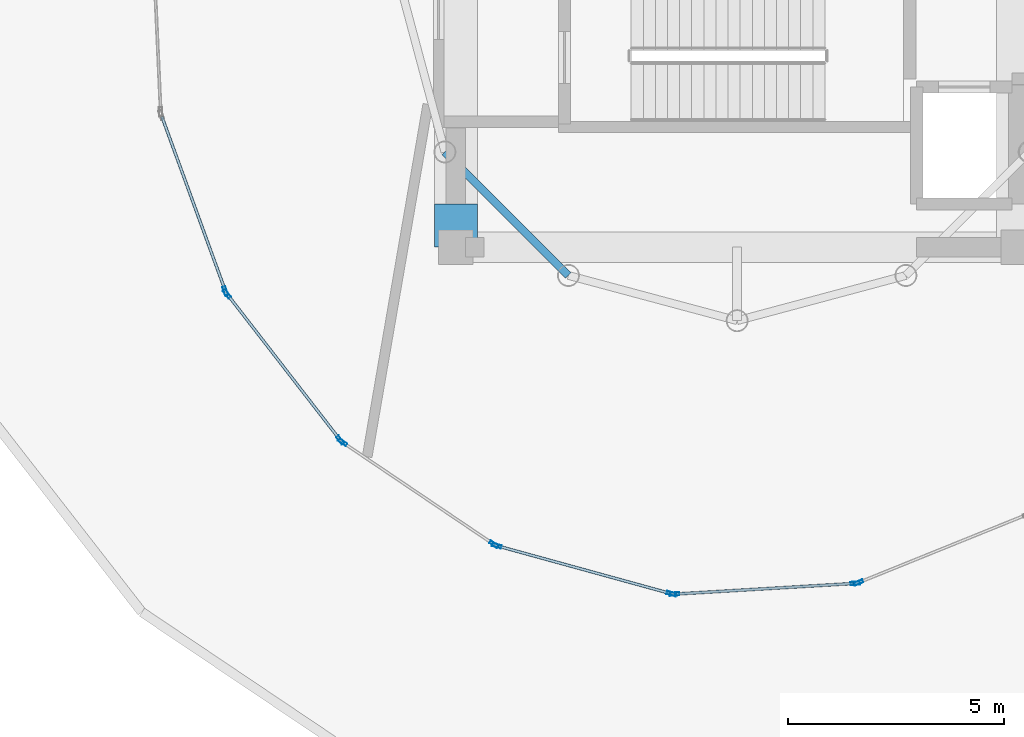
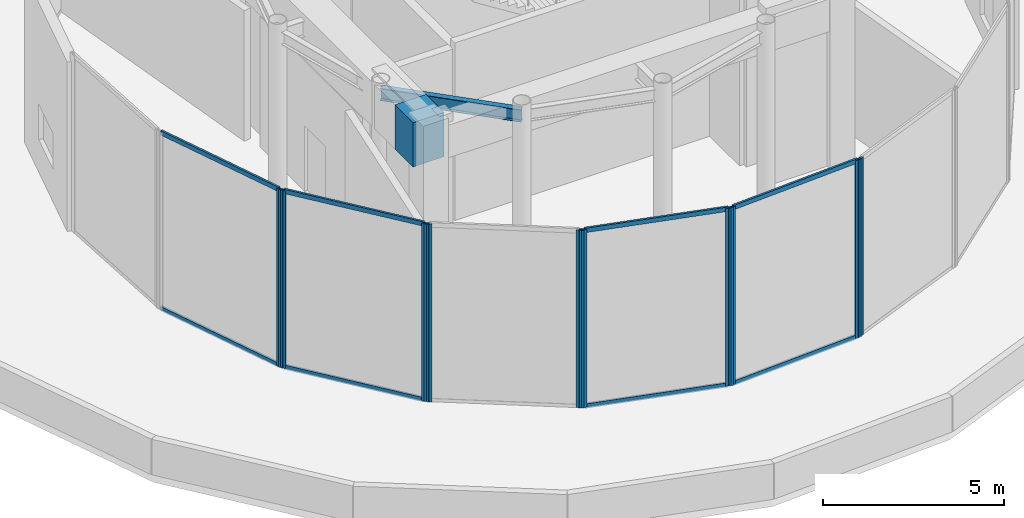
# One storey, part 2 of 12: 18 members, 2 beams, 6 elements without a shape of their own.
"""IFC4 building model written with IfcOpenShell, lengths in metres."""

from ifc_helpers import new_model, si_unit, direction, frame, origin, origin_2d, place, context, subcontext, project, spatial, rectangle, hollow_rectangle, i_section, extrude, source, transform, mapped, material, layer, layer_set, material_profile, profile_set, type_object, element, aggregate, save


model = new_model("IFC4")

# Units and contexts
model_context = context("Model", 3, precision=1e-05, world=origin(), true_north=direction((0.0, 1.0)))
body_context = subcontext(model_context, "Body", "Model", "MODEL_VIEW")
ifc_project = project(units=[si_unit("LENGTHUNIT", "METRE"), si_unit("AREAUNIT", "SQUARE_METRE"), si_unit("VOLUMEUNIT", "CUBIC_METRE"), si_unit("PLANEANGLEUNIT", "RADIAN"), si_unit("MASSUNIT", "GRAM", prefix="KILO")], contexts=[model_context])

# Site, building, storey
site_placement = place(None, origin())
site = spatial("IfcSite", under=ifc_project, at=site_placement, CompositionType="ELEMENT")
building_placement = place(site_placement, origin())
building = spatial("IfcBuilding", under=site, at=building_placement, Name="Solvirekh Grand Hotel", CompositionType="ELEMENT")
storey_placement = place(building_placement, frame((0.0, 0.0, 302.199951171875)))
storey = spatial("IfcBuildingStorey", under=building, at=storey_placement, Name="L78", CompositionType="ELEMENT", Elevation=302.199951171875)

# Beams
ifc_material_1 = material(Name="Steel S355", Category="steel")
ifc_material_profile_1 = material_profile(ifc_material_1, i_section(OverallWidth=0.180908203125, OverallDepth=0.4169921875, WebThickness=0.010009765625, FlangeThickness=0.01611328125, FilletRadius=0.011962890625, at=origin_2d()), Name="W410X85")
ifc_profile_set_1 = profile_set([ifc_material_profile_1], Name="Steel S355")
beam_type_1 = type_object("IfcBeamType", Name="Spandrel_Ring_W410", PredefinedType="SPANDREL", material=ifc_profile_set_1)
beam_1_placement = place(storey_placement, frame((-6.7548828125, -3.89990234375, 5.511962890625), z_axis=(0.707106781187, -0.707106781187, 0.0), x_axis=(0.707106781187, 0.707106781187, 0.0)))
element("IfcBeam", 1, at=beam_1_placement, inside=storey, type_object=beam_type_1, Name="L78 perimeter spandrel beam 8", PredefinedType="SPANDREL", context=body_context, shape_type="SweptSolid", body=[
    extrude(i_section(OverallWidth=0.180908203125, OverallDepth=0.4169921875, WebThickness=0.010009765625, FlangeThickness=0.01611328125, FilletRadius=0.011962890625, at=origin_2d()), origin(), (0.0, 0.0, 1.0), 4.03759765625),
])
ifc_material_2 = material(Name="Concrete C50/60", Category="concrete")
ifc_material_profile_2 = material_profile(ifc_material_2, rectangle(XDim=1.0, YDim=1.5, at=origin_2d()), Name="RC GIRDER 1000X1500")
ifc_profile_set_2 = profile_set([ifc_material_profile_2], Name="Concrete C50/60")
beam_type_2 = type_object("IfcBeamType", Name="TransferGirder_RC1500", PredefinedType="USERDEFINED", material=ifc_profile_set_2)
beam_2_placement = place(storey_placement, frame((-6.5, -6.10009765625, 5.170166015625), z_axis=(0.0, 1.0, 0.0), x_axis=(-1.0, 0.0, 0.0)))
element("IfcBeam", 2, at=beam_2_placement, inside=storey, type_object=beam_type_2, Name="L78 core step transfer beam 4A", ObjectType="TRANSFER GIRDER", PredefinedType="USERDEFINED", context=body_context, shape_type="SweptSolid", body=[
    extrude(rectangle(XDim=1.0, YDim=1.5, at=origin_2d()), origin(), (0.0, 0.0, 1.0), 1.0),
])

# Curtain wall, members
ifc_material_3 = material(Name="Anodized Bronze Aluminium 6063-T6", Category="aluminium")
ifc_layer = layer(ifc_material_3, 0.219970703125)
ifc_layer_set = layer_set([ifc_layer], Name="Anodized Bronze Aluminium 6063-T6")
curtain_wall_type = type_object("IfcCurtainWallType", Name="CW_Sys6_CrownFacetedPointCW", PredefinedType="NOTDEFINED", material=ifc_layer_set)
curtain_wall_1_placement = place(storey_placement, origin())
curtain_wall_1 = element("IfcCurtainWall", 3, at=curtain_wall_1_placement, inside=storey, type_object=curtain_wall_type, Name="L78 unitised bronze-glass curtain wall CW-L78-C01", PredefinedType="NOTDEFINED")
ifc_material_profile_3 = material_profile(ifc_material_3, hollow_rectangle(XDim=0.074951171875, YDim=0.219970703125, WallThickness=0.006103515625, at=origin_2d()), Name="ALU RHS 220X75X6")
ifc_profile_set_3 = profile_set([ifc_material_profile_3], Name="Anodized Bronze Aluminium 6063-T6")
member_type_1 = type_object("IfcMemberType", Name="CWMullion_Sys6", PredefinedType="MULLION", material=ifc_profile_set_3)
shared_shape_1 = source(origin(), body_context, "Body", "SweptSolid", [
    extrude(hollow_rectangle(XDim=0.074951171875, YDim=0.219970703125, WallThickness=0.006103515625, at=origin_2d()), origin(), (0.0, 0.0, 1.0), 6.0),
])
member_1_placement = place(storey_placement, frame((-1.446533203125, -14.119873046875, 0.0), z_axis=(0.0, 0.0, 1.0), x_axis=(-0.059162415163, 0.998248370213, 0.0)))
member_1 = element("IfcMember", 4, at=member_1_placement, type_object=member_type_1, Name="U06 mullion 1", PredefinedType="MULLION", context=body_context, shape_type="MappedRepresentation", body=[
    mapped(shared_shape_1, transform((0.0, 0.0, 0.0), x_axis=(1.0, 0.0, 0.0), y_axis=(0.0, 1.0, 0.0), z_axis=(0.0, 0.0, 1.0), scale=1.0)),
])
member_2_placement = place(storey_placement, frame((2.73046875, -13.872314453125, 0.0), z_axis=(0.0, 0.0, 1.0), x_axis=(-0.059162415163, 0.998248370213, 0.0)))
member_2 = element("IfcMember", 5, at=member_2_placement, type_object=member_type_1, Name="U06 mullion 2", PredefinedType="MULLION", context=body_context, shape_type="MappedRepresentation", body=[
    mapped(shared_shape_1, transform((0.0, 0.0, 0.0), x_axis=(1.0, 0.0, 0.0), y_axis=(0.0, 1.0, 0.0), z_axis=(0.0, 0.0, 1.0), scale=1.0)),
])

# Curtain wall, member
curtain_wall_2_placement = place(storey_placement, origin())
curtain_wall_2 = element("IfcCurtainWall", 6, at=curtain_wall_2_placement, inside=storey, type_object=curtain_wall_type, Name="L78 unitised bronze-glass curtain wall CW-L78-C02", PredefinedType="NOTDEFINED")
member_3_placement = place(storey_placement, frame((2.802734375, -13.85595703125, 0.0), z_axis=(0.0, 0.0, 1.0), x_axis=(-0.374721029061, 0.92713761135, 0.0)))
member_3 = element("IfcMember", 7, at=member_3_placement, type_object=member_type_1, Name="U06 mullion 1", PredefinedType="MULLION", context=body_context, shape_type="MappedRepresentation", body=[
    mapped(shared_shape_1, transform((0.0, 0.0, 0.0), x_axis=(1.0, 0.0, 0.0), y_axis=(0.0, 1.0, 0.0), z_axis=(0.0, 0.0, 1.0), scale=1.0)),
])
aggregate(curtain_wall_2, [member_3])

curtain_wall_3_placement = place(storey_placement, origin())
curtain_wall_3 = element("IfcCurtainWall", 8, at=curtain_wall_3_placement, inside=storey, type_object=curtain_wall_type, Name="L78 unitised bronze-glass curtain wall CW-L78-C17", PredefinedType="NOTDEFINED")
member_4_placement = place(storey_placement, frame((-11.827880859375, -7.11572265625, 0.0), z_axis=(0.0, 0.0, 1.0), x_axis=(0.939654148066, 0.342125827763, 0.0)))
member_4 = element("IfcMember", 9, at=member_4_placement, type_object=member_type_1, Name="U06 mullion 2", PredefinedType="MULLION", context=body_context, shape_type="MappedRepresentation", body=[
    mapped(shared_shape_1, transform((0.0, 0.0, 0.0), x_axis=(1.0, 0.0, 0.0), y_axis=(0.0, 1.0, 0.0), z_axis=(0.0, 0.0, 1.0), scale=1.0)),
])

# Curtain wall, members
curtain_wall_4_placement = place(storey_placement, origin())
curtain_wall_4 = element("IfcCurtainWall", 10, at=curtain_wall_4_placement, inside=storey, type_object=curtain_wall_type, Name="L78 unitised bronze-glass curtain wall CW-L78-C18", PredefinedType="NOTDEFINED")
member_5_placement = place(storey_placement, frame((-11.7919921875, -7.1806640625, 0.0), z_axis=(0.0, 0.0, 1.0), x_axis=(0.790551379762, 0.612395718434, 0.0)))
member_5 = element("IfcMember", 11, at=member_5_placement, type_object=member_type_1, Name="U06 mullion 1", PredefinedType="MULLION", context=body_context, shape_type="MappedRepresentation", body=[
    mapped(shared_shape_1, transform((0.0, 0.0, 0.0), x_axis=(1.0, 0.0, 0.0), y_axis=(0.0, 1.0, 0.0), z_axis=(0.0, 0.0, 1.0), scale=1.0)),
])
member_6_placement = place(storey_placement, frame((-9.174072265625, -10.560302734375, 0.0), z_axis=(0.0, 0.0, 1.0), x_axis=(0.790551379762, 0.612395718434, 0.0)))
member_6 = element("IfcMember", 12, at=member_6_placement, type_object=member_type_1, Name="U06 mullion 2", PredefinedType="MULLION", context=body_context, shape_type="MappedRepresentation", body=[
    mapped(shared_shape_1, transform((0.0, 0.0, 0.0), x_axis=(1.0, 0.0, 0.0), y_axis=(0.0, 1.0, 0.0), z_axis=(0.0, 0.0, 1.0), scale=1.0)),
])

curtain_wall_5_placement = place(storey_placement, origin())
curtain_wall_5 = element("IfcCurtainWall", 13, at=curtain_wall_5_placement, inside=storey, type_object=curtain_wall_type, Name="L78 unitised bronze-glass curtain wall CW-L78-C19", PredefinedType="NOTDEFINED")
member_7_placement = place(storey_placement, frame((-9.119873046875, -10.611083984375, 0.0), z_axis=(0.0, 0.0, 1.0), x_axis=(0.559312876884, 0.828956636834, 0.0)))
member_7 = element("IfcMember", 14, at=member_7_placement, type_object=member_type_1, Name="U06 mullion 1", PredefinedType="MULLION", context=body_context, shape_type="MappedRepresentation", body=[
    mapped(shared_shape_1, transform((0.0, 0.0, 0.0), x_axis=(1.0, 0.0, 0.0), y_axis=(0.0, 1.0, 0.0), z_axis=(0.0, 0.0, 1.0), scale=1.0)),
])
member_8_placement = place(storey_placement, frame((-5.6220703125, -12.970947265625, 0.0), z_axis=(0.0, 0.0, 1.0), x_axis=(0.559312876884, 0.828956636834, 0.0)))
member_8 = element("IfcMember", 15, at=member_8_placement, type_object=member_type_1, Name="U06 mullion 2", PredefinedType="MULLION", context=body_context, shape_type="MappedRepresentation", body=[
    mapped(shared_shape_1, transform((0.0, 0.0, 0.0), x_axis=(1.0, 0.0, 0.0), y_axis=(0.0, 1.0, 0.0), z_axis=(0.0, 0.0, 1.0), scale=1.0)),
])
aggregate(curtain_wall_5, [member_7, member_8])

curtain_wall_6_placement = place(storey_placement, origin())
curtain_wall_6 = element("IfcCurtainWall", 16, at=curtain_wall_6_placement, inside=storey, type_object=curtain_wall_type, Name="L78 unitised bronze-glass curtain wall CW-L78-C20", PredefinedType="NOTDEFINED")
member_9_placement = place(storey_placement, frame((-5.554931640625, -13.001953125, 0.0), z_axis=(0.0, 0.0, 1.0), x_axis=(0.26528197861, 0.964170872732, 0.0)))
member_9 = element("IfcMember", 17, at=member_9_placement, type_object=member_type_1, Name="U06 mullion 1", PredefinedType="MULLION", context=body_context, shape_type="MappedRepresentation", body=[
    mapped(shared_shape_1, transform((0.0, 0.0, 0.0), x_axis=(1.0, 0.0, 0.0), y_axis=(0.0, 1.0, 0.0), z_axis=(0.0, 0.0, 1.0), scale=1.0)),
])
member_10_placement = place(storey_placement, frame((-1.520263671875, -14.112060546875, 0.0), z_axis=(0.0, 0.0, 1.0), x_axis=(0.26528197861, 0.964170872732, 0.0)))
member_10 = element("IfcMember", 18, at=member_10_placement, type_object=member_type_1, Name="U06 mullion 2", PredefinedType="MULLION", context=body_context, shape_type="MappedRepresentation", body=[
    mapped(shared_shape_1, transform((0.0, 0.0, 0.0), x_axis=(1.0, 0.0, 0.0), y_axis=(0.0, 1.0, 0.0), z_axis=(0.0, 0.0, 1.0), scale=1.0)),
])

# Member
ifc_material_profile_4 = material_profile(ifc_material_3, hollow_rectangle(XDim=0.06494140625, YDim=0.14990234375, WallThickness=0.0048828125, at=origin_2d()), Name="ALU RHS 150X65X5")
ifc_profile_set_4 = profile_set([ifc_material_profile_4], Name="Anodized Bronze Aluminium 6063-T6")
member_type_2 = type_object("IfcMemberType", Name="CWTransom_Sys6", PredefinedType="USERDEFINED", material=ifc_profile_set_4)
shared_shape_2 = source(origin(), body_context, "Body", "SweptSolid", [
    extrude(hollow_rectangle(XDim=0.06494140625, YDim=0.14990234375, WallThickness=0.0048828125, at=origin_2d()), origin(), (0.0, 0.0, 1.0), 4.109375),
])
member_11_placement = place(storey_placement, frame((-1.4091796875, -14.11767578125, 0.032470703125), z_axis=(0.998247845366, 0.059171270248, 0.0), x_axis=(-0.059171270248, 0.998247845366, 0.0)))
member_11 = element("IfcMember", 19, at=member_11_placement, type_object=member_type_2, Name="U06 transom 1.1", ObjectType="TRANSOM", PredefinedType="USERDEFINED", context=body_context, shape_type="MappedRepresentation", body=[
    mapped(shared_shape_2, transform((0.0, 0.0, 0.0), x_axis=(1.0, 0.0, 0.0), y_axis=(0.0, 1.0, 0.0), z_axis=(0.0, 0.0, 1.0), scale=1.0)),
])

member_12_placement = place(storey_placement, frame((-1.4091796875, -14.11767578125, 5.967529296875), z_axis=(0.998247845366, 0.059171270248, 0.0), x_axis=(-0.059171270248, 0.998247845366, 0.0)))
member_12 = element("IfcMember", 20, at=member_12_placement, type_object=member_type_2, Name="U06 transom 1.2", ObjectType="TRANSOM", PredefinedType="USERDEFINED", context=body_context, shape_type="MappedRepresentation", body=[
    mapped(shared_shape_2, transform((0.0, 0.0, 0.0), x_axis=(1.0, 0.0, 0.0), y_axis=(0.0, 1.0, 0.0), z_axis=(0.0, 0.0, 1.0), scale=1.0)),
])

aggregate(curtain_wall_1, [member_1, member_2, member_11, member_12])

shared_shape_3 = source(origin(), body_context, "Body", "SweptSolid", [
    extrude(hollow_rectangle(XDim=0.06494140625, YDim=0.14990234375, WallThickness=0.0048828125, at=origin_2d()), origin(), (0.0, 0.0, 1.0), 4.2548828125),
])
member_13_placement = place(storey_placement, frame((-13.29638671875, -3.08251953125, 0.032470703125), z_axis=(0.342153062556, -0.939644231496, 0.0), x_axis=(0.939644231496, 0.342153062556, 0.0)))
member_13 = element("IfcMember", 21, at=member_13_placement, type_object=member_type_2, Name="U06 transom 1.1", ObjectType="TRANSOM", PredefinedType="USERDEFINED", context=body_context, shape_type="MappedRepresentation", body=[
    mapped(shared_shape_3, transform((0.0, 0.0, 0.0), x_axis=(1.0, 0.0, 0.0), y_axis=(0.0, 1.0, 0.0), z_axis=(0.0, 0.0, 1.0), scale=1.0)),
])

member_14_placement = place(storey_placement, frame((-13.29638671875, -3.08251953125, 5.967529296875), z_axis=(0.342153062556, -0.939644231496, 0.0), x_axis=(0.939644231496, 0.342153062556, 0.0)))
member_14 = element("IfcMember", 22, at=member_14_placement, type_object=member_type_2, Name="U06 transom 1.2", ObjectType="TRANSOM", PredefinedType="USERDEFINED", context=body_context, shape_type="MappedRepresentation", body=[
    mapped(shared_shape_3, transform((0.0, 0.0, 0.0), x_axis=(1.0, 0.0, 0.0), y_axis=(0.0, 1.0, 0.0), z_axis=(0.0, 0.0, 1.0), scale=1.0)),
])

aggregate(curtain_wall_3, [member_4, member_13, member_14])

shared_shape_4 = source(origin(), body_context, "Body", "SweptSolid", [
    extrude(hollow_rectangle(XDim=0.06494140625, YDim=0.14990234375, WallThickness=0.0048828125, at=origin_2d()), origin(), (0.0, 0.0, 1.0), 4.2001953125),
])
member_15_placement = place(storey_placement, frame((-11.76904296875, -7.210205078125, 0.032470703125), z_axis=(0.612361925717, -0.790577555925, 0.0), x_axis=(0.790577555925, 0.612361925717, 0.0)))
member_15 = element("IfcMember", 23, at=member_15_placement, type_object=member_type_2, Name="U06 transom 1.1", ObjectType="TRANSOM", PredefinedType="USERDEFINED", context=body_context, shape_type="MappedRepresentation", body=[
    mapped(shared_shape_4, transform((0.0, 0.0, 0.0), x_axis=(1.0, 0.0, 0.0), y_axis=(0.0, 1.0, 0.0), z_axis=(0.0, 0.0, 1.0), scale=1.0)),
])

member_16_placement = place(storey_placement, frame((-11.76904296875, -7.210205078125, 5.967529296875), z_axis=(0.612361925717, -0.790577555925, 0.0), x_axis=(0.790577555925, 0.612361925717, 0.0)))
member_16 = element("IfcMember", 24, at=member_16_placement, type_object=member_type_2, Name="U06 transom 1.2", ObjectType="TRANSOM", PredefinedType="USERDEFINED", context=body_context, shape_type="MappedRepresentation", body=[
    mapped(shared_shape_4, transform((0.0, 0.0, 0.0), x_axis=(1.0, 0.0, 0.0), y_axis=(0.0, 1.0, 0.0), z_axis=(0.0, 0.0, 1.0), scale=1.0)),
])

aggregate(curtain_wall_4, [member_5, member_6, member_15, member_16])

shared_shape_5 = source(origin(), body_context, "Body", "SweptSolid", [
    extrude(hollow_rectangle(XDim=0.06494140625, YDim=0.14990234375, WallThickness=0.0048828125, at=origin_2d()), origin(), (0.0, 0.0, 1.0), 4.109619140625),
])
member_17_placement = place(storey_placement, frame((-5.518798828125, -13.011962890625, 0.032470703125), z_axis=(0.96417880833, -0.265253134886, 0.0), x_axis=(0.265253134886, 0.96417880833, 0.0)))
member_17 = element("IfcMember", 25, at=member_17_placement, type_object=member_type_2, Name="U06 transom 1.1", ObjectType="TRANSOM", PredefinedType="USERDEFINED", context=body_context, shape_type="MappedRepresentation", body=[
    mapped(shared_shape_5, transform((0.0, 0.0, 0.0), x_axis=(1.0, 0.0, 0.0), y_axis=(0.0, 1.0, 0.0), z_axis=(0.0, 0.0, 1.0), scale=1.0)),
])

member_18_placement = place(storey_placement, frame((-5.518798828125, -13.011962890625, 5.967529296875), z_axis=(0.96417880833, -0.265253134886, 0.0), x_axis=(0.265253134886, 0.96417880833, 0.0)))
member_18 = element("IfcMember", 26, at=member_18_placement, type_object=member_type_2, Name="U06 transom 1.2", ObjectType="TRANSOM", PredefinedType="USERDEFINED", context=body_context, shape_type="MappedRepresentation", body=[
    mapped(shared_shape_5, transform((0.0, 0.0, 0.0), x_axis=(1.0, 0.0, 0.0), y_axis=(0.0, 1.0, 0.0), z_axis=(0.0, 0.0, 1.0), scale=1.0)),
])

aggregate(curtain_wall_6, [member_9, member_10, member_17, member_18])

save(model, "model.ifc")
